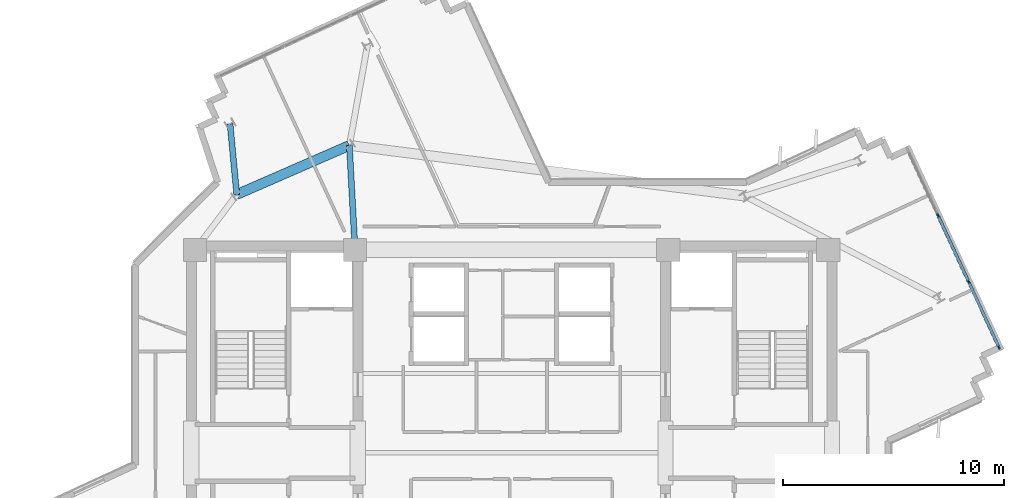
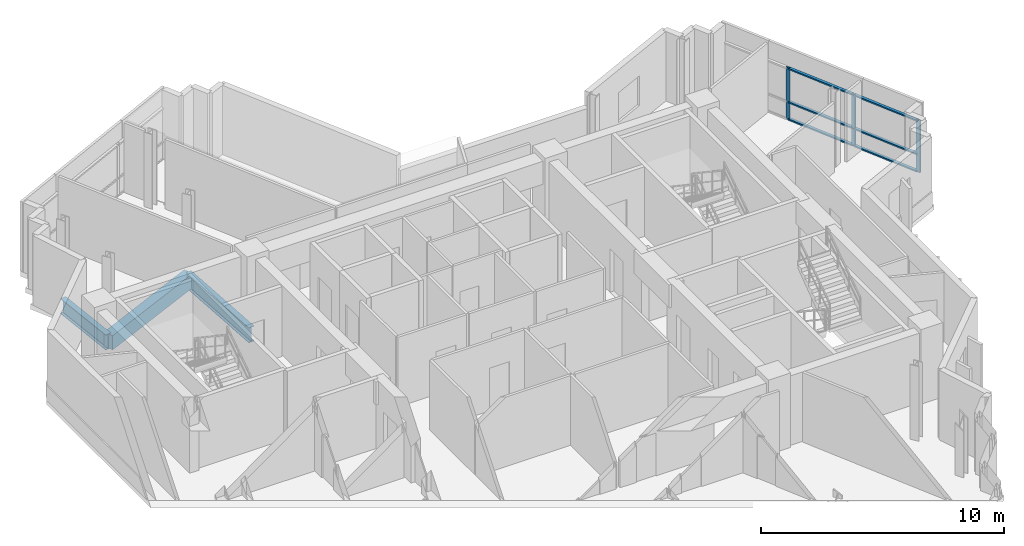
# One storey, part 2 of 12: 9 members, 3 beams, 1 element without a shape of its own.
"""IFC4 building model written with IfcOpenShell, lengths in metres."""

import ifcopenshell
import ifcopenshell.guid

model = None  # the IFC model being written
_history = None  # IfcOwnerHistory: only IFC2X3 demands one
_inside = {}  # id of a spatial element -> (the spatial element, [elements in it])
_under = {}  # id of a project, library or spatial element -> (it, [spatial elements below it])
_declared = {}  # id of a project -> (the project, [libraries it declares])
_typed = {}  # id of a type object -> (the type object, [elements of that type])
_made_of = {}  # id of a material, layer set ... -> (it, [elements and type objects made of it])


def new_model(schema):
    """Start an empty IFC model of exactly this schema.

    Asked for "IFC4X3", IfcOpenShell would pick the latest addendum, in which some entities
    have other attributes; the version numbers below select the first issue.
    IFC2X3 requires an IfcOwnerHistory on every rooted entity: one is made here for all.
    """
    global model, _history
    if schema == "IFC4X3":
        model = ifcopenshell.file(schema_version=(4, 3, 0, 0))
    else:
        model = ifcopenshell.file(schema=schema)
    _inside.clear()
    _under.clear()
    _declared.clear()
    _typed.clear()
    _made_of.clear()
    _history = None
    if model.schema == "IFC2X3":
        org = make("IfcOrganization", Name="unknown")
        user = make(
            "IfcPersonAndOrganization",
            ThePerson=make("IfcPerson", FamilyName="unknown"),
            TheOrganization=org,
        )
        app = make(
            "IfcApplication",
            ApplicationDeveloper=org,
            Version="unknown",
            ApplicationFullName="unknown",
            ApplicationIdentifier="unknown",
        )
        _history = make(
            "IfcOwnerHistory",
            OwningUser=user,
            OwningApplication=app,
            ChangeAction="ADDED",
            CreationDate=0,
        )
    return model


def make(cls, **values):
    """One entity of the class cls with the attributes given. An attribute that is None is left unset."""
    return model.create_entity(
        cls, **{name: value for name, value in values.items() if value is not None}
    )


def rooted(cls, **values):
    """An entity with a GlobalId (a new one), such as an element, a storey or a relation."""
    return make(cls, GlobalId=ifcopenshell.guid.new(), OwnerHistory=_history, **values)


def si_unit(unit_type, name, prefix=None):
    """IfcSIUnit, for example si_unit("LENGTHUNIT", "METRE", prefix="MILLI")."""
    return make("IfcSIUnit", UnitType=unit_type, Prefix=prefix, Name=name)


def assignment(units):
    """IfcUnitAssignment: the units of a project."""
    return None if units is None else make("IfcUnitAssignment", Units=units)


def point(xyz):
    """IfcCartesianPoint."""
    return None if xyz is None else make("IfcCartesianPoint", Coordinates=xyz)


def direction(xyz):
    """IfcDirection."""
    return None if xyz is None else make("IfcDirection", DirectionRatios=xyz)


def frame(location, z_axis=None, x_axis=None):
    """IfcAxis2Placement3D, a coordinate frame: its origin and axes. An axis left out is left unset."""
    return make(
        "IfcAxis2Placement3D",
        Location=point(location),
        Axis=direction(z_axis),
        RefDirection=direction(x_axis),
    )


def frame_2d(location, x_axis=None):
    """IfcAxis2Placement2D, a coordinate frame in the plane: its origin and x axis."""
    return make(
        "IfcAxis2Placement2D", Location=point(location), RefDirection=direction(x_axis)
    )


def origin():
    """The frame at (0, 0, 0) with its axes left unset."""
    return frame((0.0, 0.0, 0.0))


def origin_2d():
    """The frame at (0, 0) in the plane with its x axis left unset."""
    return frame_2d((0.0, 0.0))


def place(relative_to, where):
    """IfcLocalPlacement: puts the frame where relative to a parent placement (None: the world)."""
    return make(
        "IfcLocalPlacement", PlacementRelTo=relative_to, RelativePlacement=where
    )


def context(
    kind, dimensions, precision=None, world=None, true_north=None, identifier=None
):
    """IfcGeometricRepresentationContext, for example the 3D "Model" context."""
    return make(
        "IfcGeometricRepresentationContext",
        ContextIdentifier=identifier,
        ContextType=kind,
        CoordinateSpaceDimension=dimensions,
        Precision=precision,
        WorldCoordinateSystem=world,
        TrueNorth=true_north,
    )


def subcontext(parent, identifier, kind, view, scale=None):
    """IfcGeometricRepresentationSubContext, for example "Body" below "Model"."""
    return make(
        "IfcGeometricRepresentationSubContext",
        ContextIdentifier=identifier,
        ContextType=kind,
        ParentContext=parent,
        TargetScale=scale,
        TargetView=view,
    )


def project(units=None, contexts=None):
    """IfcProject with its units and contexts."""
    return rooted(
        "IfcProject",
        Name="project",
        RepresentationContexts=contexts,
        UnitsInContext=assignment(units),
    )


def spatial(cls, under=None, at=None, **own):
    """A site, building, storey or space (cls), placed at a placement, below another one or the project."""
    s = rooted(cls, ObjectPlacement=at, **own)
    if under is not None:
        _under.setdefault(under.id(), (under, []))[1].append(s)
    return s


def profile(cls, at=None, kind="AREA", **sizes):
    """A parametric profile (cls). Its sizes go by their IFC names, for example OverallWidth=200.0."""
    return make(cls, ProfileType=kind, Position=at, **sizes)


def rectangle(**sizes):
    """IfcRectangleProfileDef."""
    return profile("IfcRectangleProfileDef", **sizes)


def i_section(**sizes):
    """IfcIShapeProfileDef."""
    return profile("IfcIShapeProfileDef", **sizes)


def extrude(swept, where, along, depth):
    """IfcExtrudedAreaSolid: the profile swept, set in the frame where, extruded along a direction by depth."""
    return make(
        "IfcExtrudedAreaSolid",
        SweptArea=swept,
        Position=where,
        ExtrudedDirection=direction(along),
        Depth=depth,
    )


def shape(context_of_items, identifier, shape_type, items):
    """IfcShapeRepresentation: the items that make up one representation, for example the "Body"."""
    return make(
        "IfcShapeRepresentation",
        ContextOfItems=context_of_items,
        RepresentationIdentifier=identifier,
        RepresentationType=shape_type,
        Items=items,
    )


def source(mapping_origin, context_of_items, identifier, shape_type, items):
    """IfcRepresentationMap: a shape defined once, which mapped items show again and again."""
    return make(
        "IfcRepresentationMap",
        MappingOrigin=mapping_origin,
        MappedRepresentation=shape(context_of_items, identifier, shape_type, items),
    )


def transform(
    local_origin,
    x_axis=None,
    y_axis=None,
    z_axis=None,
    scale=None,
    scale2=None,
    scale3=None,
    uniform=True,
):
    """IfcCartesianTransformationOperator3D, or its non-uniform kind. x_axis, y_axis, z_axis: its Axis1, 2, 3."""
    if uniform:
        return make(
            "IfcCartesianTransformationOperator3D",
            Axis1=direction(x_axis),
            Axis2=direction(y_axis),
            LocalOrigin=point(local_origin),
            Scale=scale,
            Axis3=direction(z_axis),
        )
    return make(
        "IfcCartesianTransformationOperator3DnonUniform",
        Axis1=direction(x_axis),
        Axis2=direction(y_axis),
        LocalOrigin=point(local_origin),
        Scale=scale,
        Axis3=direction(z_axis),
        Scale2=scale2,
        Scale3=scale3,
    )


def mapped(mapping_source, mapping_target):
    """IfcMappedItem: shows the shape of a source again, moved by a transform."""
    return make(
        "IfcMappedItem", MappingSource=mapping_source, MappingTarget=mapping_target
    )


def material(Name=None, Category=None):
    """IfcMaterial."""
    return make("IfcMaterial", Name=Name, Category=Category)


def layer(
    of_material, thickness, ventilated=None, Name=None, Category=None, Priority=None
):
    """IfcMaterialLayer: one layer of a wall or slab, of a material (None: an air gap)."""
    return make(
        "IfcMaterialLayer",
        Material=of_material,
        LayerThickness=thickness,
        IsVentilated=ventilated,
        Name=Name,
        Category=Category,
        Priority=Priority,
    )


def layer_set(layers, Name=None):
    """IfcMaterialLayerSet."""
    return make("IfcMaterialLayerSet", MaterialLayers=layers, LayerSetName=Name)


def material_profile(
    of_material, cross_section, Name=None, Category=None, Priority=None
):
    """IfcMaterialProfile: a cross section and its material."""
    return make(
        "IfcMaterialProfile",
        Name=Name,
        Material=of_material,
        Profile=cross_section,
        Priority=Priority,
        Category=Category,
    )


def profile_set(profiles, Name=None, composite=None):
    """IfcMaterialProfileSet."""
    return make(
        "IfcMaterialProfileSet",
        Name=Name,
        MaterialProfiles=profiles,
        CompositeProfile=composite,
    )


def made_of(thing, what):
    """Note that an element or type object is made of a material, layer set ...; save() writes the relation."""
    if what is not None:
        _made_of.setdefault(what.id(), (what, []))[1].append(thing)
    return thing


def type_object(cls, material=None, **own):
    """A type object (cls), such as IfcWallType, which elements share."""
    return made_of(rooted(cls, **own), material)


def element(
    cls,
    number,
    at=None,
    inside=None,
    cuts=None,
    type_object=None,
    material=None,
    context=None,
    identifier="Body",
    shape_type=None,
    held_by="IfcProductDefinitionShape",
    body=None,
    shapes=None,
    **own,
):
    """One element of the class cls, such as IfcWall. Its Tag is "e" and its number.

    at: its placement. inside: the storey or other place that contains it. cuts: it is an
    opening in that element (IfcRelVoidsElement). A single representation is given by context,
    identifier, shape_type and body (its items); several are given by shapes. held_by: the class
    of the entity that holds the representations. save() writes the other relations.
    """
    e = rooted(cls, Tag="e%d" % number, ObjectPlacement=at, **own)
    if body is not None:
        shapes = [shape(context, identifier, shape_type, body)]
    if shapes is not None:
        e.Representation = make(held_by, Representations=shapes)
    if inside is not None:
        _inside.setdefault(inside.id(), (inside, []))[1].append(e)
    if cuts is not None:
        rooted(
            "IfcRelVoidsElement", RelatingBuildingElement=cuts, RelatedOpeningElement=e
        )
    if type_object is not None:
        _typed.setdefault(type_object.id(), (type_object, []))[1].append(e)
    return made_of(e, material)


def aggregate(whole, parts):
    """IfcRelAggregates: a whole, such as a stair, and the parts it consists of."""
    return rooted("IfcRelAggregates", RelatingObject=whole, RelatedObjects=parts)


def save(model, path):
    """Write the relations noted so far, then the file.

    IfcRelAggregates (storeys below a building ...), IfcRelContainedInSpatialStructure (elements
    in a storey), IfcRelDefinesByType, IfcRelAssociatesMaterial and IfcRelDeclares: one each for
    every whole, place, type object, material and project.
    """
    for whole, parts in _under.values():
        aggregate(whole, parts)
    for where, things in _inside.values():
        rooted(
            "IfcRelContainedInSpatialStructure",
            RelatedElements=things,
            RelatingStructure=where,
        )
    for kind, things in _typed.values():
        rooted("IfcRelDefinesByType", RelatedObjects=things, RelatingType=kind)
    for what, things in _made_of.values():
        rooted("IfcRelAssociatesMaterial", RelatedObjects=things, RelatingMaterial=what)
    for by, libraries in _declared.values():
        rooted("IfcRelDeclares", RelatingContext=by, RelatedDefinitions=libraries)
    model.write(path)


model = new_model("IFC4")

# Units and contexts
model_context = context("Model", 3, precision=1e-05, world=origin(), true_north=direction((0.0, 1.0)))
body_context = subcontext(model_context, "Body", "Model", "MODEL_VIEW")
ifc_project = project(units=[si_unit("LENGTHUNIT", "METRE"), si_unit("AREAUNIT", "SQUARE_METRE"), si_unit("VOLUMEUNIT", "CUBIC_METRE"), si_unit("PLANEANGLEUNIT", "RADIAN"), si_unit("MASSUNIT", "GRAM", prefix="KILO")], contexts=[model_context])

# Site, building, storey
site_placement = place(None, origin())
site = spatial("IfcSite", under=ifc_project, at=site_placement, CompositionType="ELEMENT")
building_placement = place(site_placement, origin())
building = spatial("IfcBuilding", under=site, at=building_placement, Name="Zahravan Cultural Tower", CompositionType="ELEMENT")
storey_placement = place(building_placement, frame((0.0, 0.0, 242.85009765625)))
storey = spatial("IfcBuildingStorey", under=building, at=storey_placement, Name="L57", CompositionType="ELEMENT", Elevation=242.85009765625)

# Beams
ifc_material_1 = material(Name="Steel ASTM A992 Grade 50", Category="steel")
ifc_material_profile_1 = material_profile(ifc_material_1, i_section(OverallWidth=0.26708984375, OverallDepth=0.761962890625, WebThickness=0.014404296875, FlangeThickness=0.021484375, FilletRadius=0.01904296875, at=origin_2d()), Name="W30X116")
ifc_profile_set_1 = profile_set([ifc_material_profile_1], Name="Steel ASTM A992 Grade 50")
beam_type_1 = type_object("IfcBeamType", Name="BM-G-W30X116", PredefinedType="BEAM", material=ifc_profile_set_1)
shared_shape_1 = source(origin(), body_context, "Body", "SweptSolid", [
    extrude(i_section(OverallWidth=0.26708984375, OverallDepth=0.761962890625, WebThickness=0.014404296875, FlangeThickness=0.021484375, FilletRadius=0.01904296875, at=origin_2d()), origin(), (0.0, 0.0, 1.0), 4.744384765625),
])
beam_1_placement = place(storey_placement, frame((28.89990234375, 36.199951171875, -0.631103515625), z_axis=(-0.054238739845, 0.998527996152, 0.0), x_axis=(-0.998527996152, -0.054238739845, 0.0)))
element("IfcBeam", 1, at=beam_1_placement, inside=storey, type_object=beam_type_1, Name="L57 Beam BG-L57-10", PredefinedType="BEAM", context=body_context, shape_type="MappedRepresentation", body=[
    mapped(shared_shape_1, transform((0.0, 0.0, 0.0), x_axis=(1.0, 0.0, 0.0), y_axis=(0.0, 1.0, 0.0), z_axis=(0.0, 0.0, 1.0), scale=1.0)),
])
shared_shape_2 = source(origin(), body_context, "Body", "SweptSolid", [
    extrude(i_section(OverallWidth=0.26708984375, OverallDepth=0.761962890625, WebThickness=0.014404296875, FlangeThickness=0.021484375, FilletRadius=0.01904296875, at=origin_2d()), origin(), (0.0, 0.0, 1.0), 3.218017578125),
])
beam_2_placement = place(storey_placement, frame((23.536376953125, 38.710693359375, -0.631103515625), z_axis=(-0.094454641962, 0.995529166128, 0.0), x_axis=(-0.995529166128, -0.094454641962, 0.0)))
element("IfcBeam", 2, at=beam_2_placement, inside=storey, type_object=beam_type_1, Name="L57 Beam BG-L57-15", PredefinedType="BEAM", context=body_context, shape_type="MappedRepresentation", body=[
    mapped(shared_shape_2, transform((0.0, 0.0, 0.0), x_axis=(1.0, 0.0, 0.0), y_axis=(0.0, 1.0, 0.0), z_axis=(0.0, 0.0, 1.0), scale=1.0)),
])
ifc_material_2 = material(Name="Concrete C45/55", Category="concrete")
ifc_material_profile_2 = material_profile(ifc_material_2, rectangle(XDim=0.449951171875, YDim=0.719970703125, at=origin_2d()), Name="RC450X720")
ifc_profile_set_2 = profile_set([ifc_material_profile_2], Name="Concrete C45/55")
beam_type_2 = type_object("IfcBeamType", Name="BM-SP-RC450X720", PredefinedType="SPANDREL", material=ifc_profile_set_2)
shared_shape_3 = source(origin(), body_context, "Body", "SweptSolid", [
    extrude(rectangle(XDim=0.449951171875, YDim=0.719970703125, at=origin_2d()), origin(), (0.0, 0.0, 1.0), 5.570556640625),
])
beam_3_placement = place(storey_placement, frame((28.642578125, 40.937255859375, -0.610107421875), z_axis=(-0.9166445026, -0.399703459896, 0.0), x_axis=(0.399703459896, -0.9166445026, 0.0)))
element("IfcBeam", 3, at=beam_3_placement, inside=storey, type_object=beam_type_2, Name="L57 Beam SP-L57-23", PredefinedType="SPANDREL", context=body_context, shape_type="MappedRepresentation", body=[
    mapped(shared_shape_3, transform((0.0, 0.0, 0.0), x_axis=(1.0, 0.0, 0.0), y_axis=(0.0, 1.0, 0.0), z_axis=(0.0, 0.0, 1.0), scale=1.0)),
])

# Curtain wall, members
ifc_material_3 = material(Name="Anodised bronze-aluminium mullion", Category="aluminium")
ifc_layer = layer(ifc_material_3, 0.179931640625)
ifc_layer_set = layer_set([ifc_layer], Name="Anodised bronze-aluminium mullion")
curtain_wall_type = type_object("IfcCurtainWallType", Name="CW-SYS-3", PredefinedType="USERDEFINED", material=ifc_layer_set)
curtain_wall_placement = place(storey_placement, origin())
curtain_wall = element("IfcCurtainWall", 4, at=curtain_wall_placement, inside=storey, type_object=curtain_wall_type, Name="L57 Recessed Curtain Wall CW-3.1", ObjectType="RECESSED GLAZING", PredefinedType="USERDEFINED")
ifc_material_profile_3 = material_profile(ifc_material_3, rectangle(XDim=0.139892578125, YDim=0.070068359375, at=origin_2d()), Name="AL-T70X140")
ifc_profile_set_3 = profile_set([ifc_material_profile_3], Name="Anodised bronze-aluminium mullion")
member_type_1 = type_object("IfcMemberType", Name="CWT-CW-3", PredefinedType="USERDEFINED", material=ifc_profile_set_3)
shared_shape_4 = source(origin(), body_context, "Body", "SweptSolid", [
    extrude(rectangle(XDim=0.139892578125, YDim=0.070068359375, at=origin_2d()), origin(), (0.0, 0.0, 1.0), 3.236572265625),
])
member_1_placement = place(storey_placement, frame((55.3466796875, 37.72216796875, 0.034912109375), z_axis=(0.419483868857, -0.907762790474, 0.0), x_axis=(0.907762790474, 0.419483868857, 0.0)))
member_1 = element("IfcMember", 5, at=member_1_placement, type_object=member_type_1, Name="CW-3 transom 2.1", ObjectType="TRANSOM", PredefinedType="USERDEFINED", context=body_context, shape_type="MappedRepresentation", body=[
    mapped(shared_shape_4, transform((0.0, 0.0, 0.0), x_axis=(1.0, 0.0, 0.0), y_axis=(0.0, 1.0, 0.0), z_axis=(0.0, 0.0, 1.0), scale=1.0)),
])
member_2_placement = place(storey_placement, frame((55.3466796875, 37.72216796875, 0.89990234375), z_axis=(0.419483868857, -0.907762790474, 0.0), x_axis=(0.907762790474, 0.419483868857, 0.0)))
member_2 = element("IfcMember", 6, at=member_2_placement, type_object=member_type_1, Name="CW-3 transom 2.2", ObjectType="TRANSOM", PredefinedType="USERDEFINED", context=body_context, shape_type="MappedRepresentation", body=[
    mapped(shared_shape_4, transform((0.0, 0.0, 0.0), x_axis=(1.0, 0.0, 0.0), y_axis=(0.0, 1.0, 0.0), z_axis=(0.0, 0.0, 1.0), scale=1.0)),
])
member_3_placement = place(storey_placement, frame((55.3466796875, 37.72216796875, 2.5849609375), z_axis=(0.419483868857, -0.907762790474, 0.0), x_axis=(0.907762790474, 0.419483868857, 0.0)))
member_3 = element("IfcMember", 7, at=member_3_placement, type_object=member_type_1, Name="CW-3 transom 2.3", ObjectType="TRANSOM", PredefinedType="USERDEFINED", context=body_context, shape_type="MappedRepresentation", body=[
    mapped(shared_shape_4, transform((0.0, 0.0, 0.0), x_axis=(1.0, 0.0, 0.0), y_axis=(0.0, 1.0, 0.0), z_axis=(0.0, 0.0, 1.0), scale=1.0)),
])
shared_shape_5 = source(origin(), body_context, "Body", "SweptSolid", [
    extrude(rectangle(XDim=0.139892578125, YDim=0.070068359375, at=origin_2d()), origin(), (0.0, 0.0, 1.0), 3.201416015625),
])
member_4_placement = place(storey_placement, frame((56.73388671875, 34.720458984375, 0.034912109375), z_axis=(0.41942567534, -0.907789679863, 0.0), x_axis=(0.907789679863, 0.41942567534, 0.0)))
member_4 = element("IfcMember", 8, at=member_4_placement, type_object=member_type_1, Name="CW-3 transom 3.1", ObjectType="TRANSOM", PredefinedType="USERDEFINED", context=body_context, shape_type="MappedRepresentation", body=[
    mapped(shared_shape_5, transform((0.0, 0.0, 0.0), x_axis=(1.0, 0.0, 0.0), y_axis=(0.0, 1.0, 0.0), z_axis=(0.0, 0.0, 1.0), scale=1.0)),
])
member_5_placement = place(storey_placement, frame((56.73388671875, 34.720458984375, 0.89990234375), z_axis=(0.41942567534, -0.907789679863, 0.0), x_axis=(0.907789679863, 0.41942567534, 0.0)))
member_5 = element("IfcMember", 9, at=member_5_placement, type_object=member_type_1, Name="CW-3 transom 3.2", ObjectType="TRANSOM", PredefinedType="USERDEFINED", context=body_context, shape_type="MappedRepresentation", body=[
    mapped(shared_shape_5, transform((0.0, 0.0, 0.0), x_axis=(1.0, 0.0, 0.0), y_axis=(0.0, 1.0, 0.0), z_axis=(0.0, 0.0, 1.0), scale=1.0)),
])
member_6_placement = place(storey_placement, frame((56.73388671875, 34.720458984375, 2.5849609375), z_axis=(0.41942567534, -0.907789679863, 0.0), x_axis=(0.907789679863, 0.41942567534, 0.0)))
member_6 = element("IfcMember", 10, at=member_6_placement, type_object=member_type_1, Name="CW-3 transom 3.3", ObjectType="TRANSOM", PredefinedType="USERDEFINED", context=body_context, shape_type="MappedRepresentation", body=[
    mapped(shared_shape_5, transform((0.0, 0.0, 0.0), x_axis=(1.0, 0.0, 0.0), y_axis=(0.0, 1.0, 0.0), z_axis=(0.0, 0.0, 1.0), scale=1.0)),
])
ifc_material_profile_4 = material_profile(ifc_material_3, rectangle(XDim=0.070068359375, YDim=0.179931640625, at=origin_2d()), Name="AL-M70X180")
ifc_profile_set_4 = profile_set([ifc_material_profile_4], Name="Anodised bronze-aluminium mullion")
member_type_2 = type_object("IfcMemberType", Name="CWM-CW-3", PredefinedType="MULLION", material=ifc_profile_set_4)
shared_shape_6 = source(origin(), body_context, "Body", "SweptSolid", [
    extrude(rectangle(XDim=0.070068359375, YDim=0.179931640625, at=origin_2d()), origin(), (0.0, 0.0, 1.0), 2.619873046875),
])
member_7_placement = place(storey_placement, frame((55.33203125, 37.75390625, 0.0), z_axis=(0.0, 0.0, 1.0), x_axis=(0.907775189262, 0.419457036846, 0.0)))
member_7 = element("IfcMember", 11, at=member_7_placement, type_object=member_type_2, Name="CW-3 mullion 2", PredefinedType="MULLION", context=body_context, shape_type="MappedRepresentation", body=[
    mapped(shared_shape_6, transform((0.0, 0.0, 0.0), x_axis=(1.0, 0.0, 0.0), y_axis=(0.0, 1.0, 0.0), z_axis=(0.0, 0.0, 1.0), scale=1.0)),
])
member_8_placement = place(storey_placement, frame((56.718994140625, 34.752197265625, 0.0), z_axis=(0.0, 0.0, 1.0), x_axis=(0.907775189262, 0.419457036846, 0.0)))
member_8 = element("IfcMember", 12, at=member_8_placement, type_object=member_type_2, Name="CW-3 mullion 3", PredefinedType="MULLION", context=body_context, shape_type="MappedRepresentation", body=[
    mapped(shared_shape_6, transform((0.0, 0.0, 0.0), x_axis=(1.0, 0.0, 0.0), y_axis=(0.0, 1.0, 0.0), z_axis=(0.0, 0.0, 1.0), scale=1.0)),
])
member_9_placement = place(storey_placement, frame((58.09130859375, 31.782470703125, 0.0), z_axis=(0.0, 0.0, 1.0), x_axis=(0.907775189262, 0.419457036846, 0.0)))
member_9 = element("IfcMember", 13, at=member_9_placement, type_object=member_type_2, Name="CW-3 mullion 4", PredefinedType="MULLION", context=body_context, shape_type="MappedRepresentation", body=[
    mapped(shared_shape_6, transform((0.0, 0.0, 0.0), x_axis=(1.0, 0.0, 0.0), y_axis=(0.0, 1.0, 0.0), z_axis=(0.0, 0.0, 1.0), scale=1.0)),
])
aggregate(curtain_wall, [member_7, member_8, member_9, member_1, member_2, member_3, member_4, member_5, member_6])

save(model, "model.ifc")
